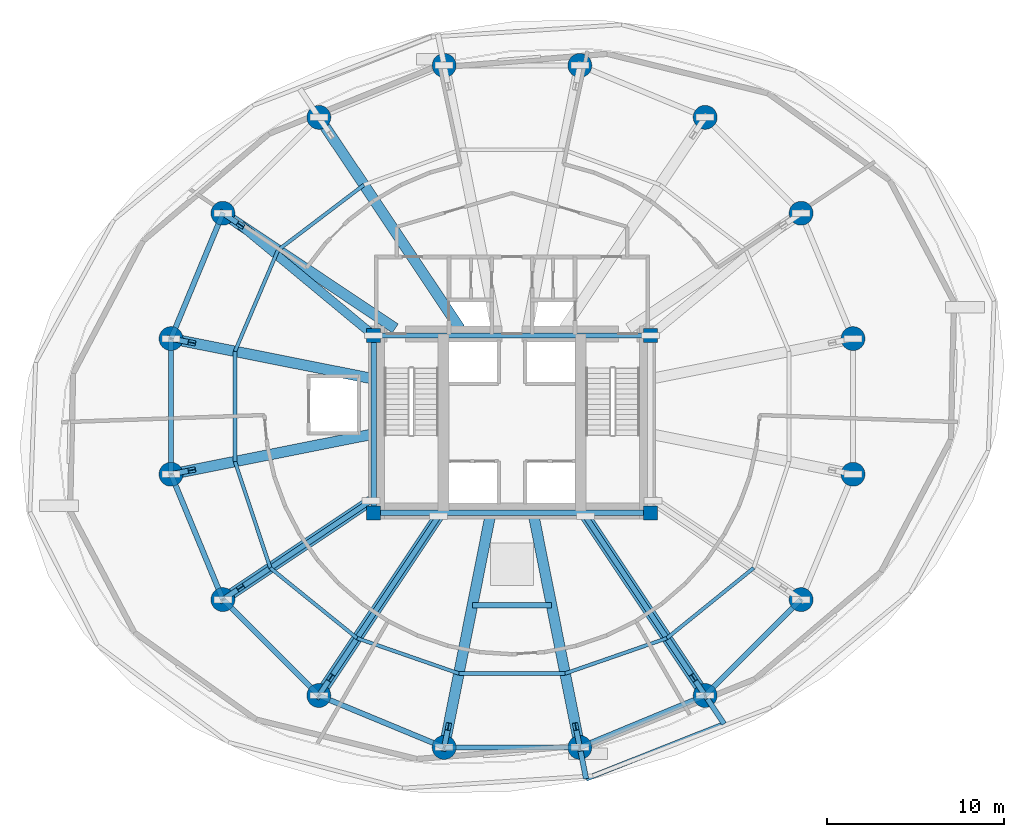
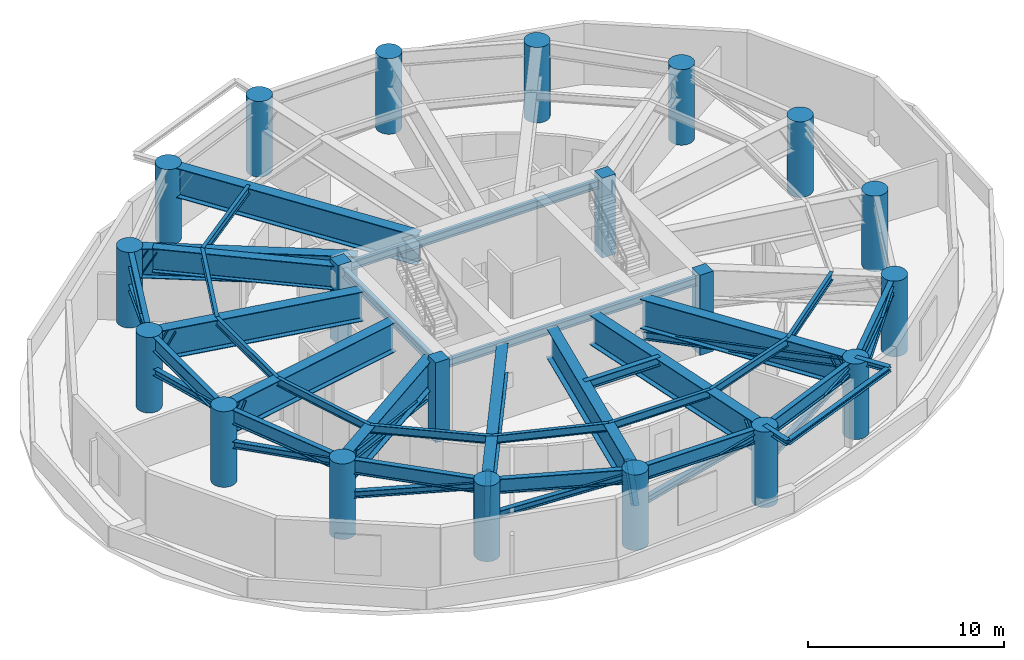
# One storey, part 1 of 8: 34 beams, 20 columns, 19 members.
"""IFC4 building model written with IfcOpenShell, lengths in metres."""

from ifc_helpers import new_model, si_unit, direction, frame, origin, origin_2d, place, context, subcontext, project, spatial, rectangle, circle, i_section, extrude, material, material_profile, profile_set, type_object, element, save


model = new_model("IFC4")

# Units and contexts
model_context = context("Model", 3, precision=1e-05, world=origin(), true_north=direction((0.0, 1.0)))
body_context = subcontext(model_context, "Body", "Model", "MODEL_VIEW")
ifc_project = project(units=[si_unit("LENGTHUNIT", "METRE"), si_unit("AREAUNIT", "SQUARE_METRE"), si_unit("VOLUMEUNIT", "CUBIC_METRE"), si_unit("PLANEANGLEUNIT", "RADIAN"), si_unit("MASSUNIT", "GRAM", prefix="KILO"), si_unit("THERMODYNAMICTEMPERATUREUNIT", "KELVIN"), si_unit("POWERUNIT", "WATT")], contexts=[model_context])

# Site, building, storey
site_placement = place(None, origin())
site = spatial("IfcSite", under=ifc_project, at=site_placement, CompositionType="ELEMENT")
building_placement = place(site_placement, origin())
building = spatial("IfcBuilding", under=site, at=building_placement, Name="Ocrelia Relay Tower", CompositionType="ELEMENT")
storey_placement = place(building_placement, frame((0.0, 0.0, 88.800048828125)))
storey = spatial("IfcBuildingStorey", under=building, at=storey_placement, Name="L20", CompositionType="ELEMENT", Elevation=88.800048828125)

# Columns
ifc_material_1 = material(Name="Concrete C70/85", Category="concrete")
ifc_material_profile_1 = material_profile(ifc_material_1, circle(Radius=0.675048828125, at=origin_2d()), Name="RC-CIR-1350")
ifc_profile_set_1 = profile_set([ifc_material_profile_1], Name="Concrete C70/85")
column_type_1 = type_object("IfcColumnType", Name="COL-CT-1350", PredefinedType="COLUMN", material=ifc_profile_set_1)
for number, where, z_axis, x_axis, name in (
    (1, (53.223388671875, 29.82373046875, 0.0), (0.0, 0.0, 1.0), (1.0, 0.0, 0.0), "L20 Perimeter Ring Column C01"),
    (2, (50.296875, 36.88916015625, 0.0), (0.0, 0.0, 1.0), (1.0, 0.0, 0.0), "L20 Perimeter Ring Column C02"),
    (3, (44.88916015625, 42.296875, 0.0), (0.0, 0.0, 1.0), (1.0, 0.0, 0.0), "L20 Perimeter Ring Column C03"),
    (4, (37.82373046875, 45.223388671875, 0.0), (0.0, 0.0, 1.0), (1.0, 0.0, 0.0), "L20 Perimeter Ring Column C04"),
    (5, (30.17626953125, 45.223388671875, 0.0), (0.0, 0.0, 1.0), (1.0, 0.0, 0.0), "L20 Perimeter Ring Column C05"),
    (6, (23.11083984375, 42.296875, 0.0), (0.0, 0.0, 1.0), (1.0, 0.0, 0.0), "L20 Perimeter Ring Column C06"),
    (7, (17.703125, 36.88916015625, 0.0), (0.0, 0.0, 1.0), (1.0, 0.0, 0.0), "L20 Perimeter Ring Column C07"),
    (8, (14.776611328125, 29.82373046875, 0.0), (0.0, 0.0, 1.0), (1.0, 0.0, 0.0), "L20 Perimeter Ring Column C08"),
    (9, (14.776611328125, 22.17626953125, 0.0), (0.0, 0.0, 1.0), (1.0, 0.0, 0.0), "L20 Perimeter Ring Column C09"),
    (10, (17.703125, 15.11083984375, 0.0), (0.0, 0.0, 1.0), (1.0, 0.0, 0.0), "L20 Perimeter Ring Column C10"),
    (11, (23.11083984375, 9.703125, 0.0), (0.0, 0.0, 1.0), (1.0, 0.0, 0.0), "L20 Perimeter Ring Column C11"),
    (12, (30.17626953125, 6.776611328125, 0.0), (0.0, 0.0, 1.0), (1.0, 0.0, 0.0), "L20 Perimeter Ring Column C12"),
    (13, (37.82373046875, 6.776611328125, 0.0), (0.0, 0.0, 1.0), (1.0, 0.0, 0.0), "L20 Perimeter Ring Column C13"),
    (14, (44.88916015625, 9.703125, 0.0), (0.0, 0.0, 1.0), (1.0, 0.0, 0.0), "L20 Perimeter Ring Column C14"),
    (15, (50.296875, 15.11083984375, 0.0), (0.0, 0.0, 1.0), (1.0, 0.0, 0.0), "L20 Perimeter Ring Column C15"),
    (16, (53.223388671875, 22.17626953125, 0.0), (0.0, 0.0, 1.0), (1.0, 0.0, 0.0), "L20 Perimeter Ring Column C16"),
):
    element("IfcColumn", number, at=place(storey_placement, frame(where, z_axis=z_axis, x_axis=x_axis)), inside=storey, type_object=column_type_1, Name=name, PredefinedType="COLUMN", context=body_context, shape_type="SweptSolid", body=[
        extrude(circle(Radius=0.675048828125, at=origin_2d()), origin(), (0.0, 0.0, 1.0), 4.719970703125),
    ])
ifc_material_2 = material(Name="Concrete C60/75", Category="concrete")
ifc_material_profile_2 = material_profile(ifc_material_2, rectangle(XDim=0.800048828125, YDim=0.800048828125, at=origin_2d()), Name="RC-COL-800x800")
ifc_profile_set_2 = profile_set([ifc_material_profile_2], Name="Concrete C60/75")
column_type_2 = type_object("IfcColumnType", Name="COL-PILASTER-800", PredefinedType="PILASTER", material=ifc_profile_set_2)
for number, where, z_axis, x_axis, name in (
    (17, (26.199951171875, 20.0, 0.0), (0.0, 0.0, 1.0), (1.0, 0.0, 0.0), "L20 Core Corner Pilaster SW"),
    (18, (41.800048828125, 20.0, 0.0), (0.0, 0.0, 1.0), (1.0, 0.0, 0.0), "L20 Core Corner Pilaster SE"),
    (19, (26.199951171875, 30.0, 0.0), (0.0, 0.0, 1.0), (1.0, 0.0, 0.0), "L20 Core Corner Pilaster NW"),
    (20, (41.800048828125, 30.0, 0.0), (0.0, 0.0, 1.0), (1.0, 0.0, 0.0), "L20 Core Corner Pilaster NE"),
):
    element("IfcColumn", number, at=place(storey_placement, frame(where, z_axis=z_axis, x_axis=x_axis)), inside=storey, type_object=column_type_2, Name=name, PredefinedType="PILASTER", context=body_context, shape_type="SweptSolid", body=[
        extrude(rectangle(XDim=0.800048828125, YDim=0.800048828125, at=origin_2d()), origin(), (0.0, 0.0, 1.0), 5.0),
    ])

# Beams
ifc_material_3 = material(Name="Steel S355", Category="steel")
ifc_material_profile_3 = material_profile(ifc_material_3, i_section(OverallWidth=0.280029296875, OverallDepth=0.27001953125, WebThickness=0.008056640625, FlangeThickness=0.012939453125, FilletRadius=0.02392578125, at=origin_2d()), Name="HEA 280")
ifc_profile_set_3 = profile_set([ifc_material_profile_3], Name="Steel S355")
beam_type_1 = type_object("IfcBeamType", Name="BM-HEA280", PredefinedType="BEAM", material=ifc_profile_set_3)
beam_1_placement = place(storey_placement, frame((38.175048828125, 5.01123046875, 4.5849609375), z_axis=(0.929424546745, 0.369012211054, 0.0), x_axis=(-0.369012211054, 0.929424546745, 0.0)))
element("IfcBeam", 21, at=beam_1_placement, inside=storey, type_object=beam_type_1, Name="L21 Balcony Edge Trimmer Beam B2", PredefinedType="BEAM", context=body_context, shape_type="SweptSolid", body=[
    extrude(i_section(OverallWidth=0.280029296875, OverallDepth=0.27001953125, WebThickness=0.008056640625, FlangeThickness=0.012939453125, FilletRadius=0.02392578125, at=origin_2d()), origin(), (0.0, 0.0, 1.0), 8.375244140625),
])
ifc_material_profile_4 = material_profile(ifc_material_3, i_section(OverallWidth=0.300048828125, OverallDepth=0.330078125, WebThickness=0.009521484375, FlangeThickness=0.0166015625, FilletRadius=0.027099609375, at=origin_2d()), Name="HEA 340")
ifc_profile_set_4 = profile_set([ifc_material_profile_4], Name="Steel S355")
beam_type_2 = type_object("IfcBeamType", Name="BM-HEA340", PredefinedType="BEAM", material=ifc_profile_set_4)
beam_2_placement = place(storey_placement, frame((37.82373046875, 6.776611328125, 4.554931640625), z_axis=(0.19517704197, -0.980768026746, 0.0), x_axis=(0.980768026746, 0.19517704197, 0.0)))
element("IfcBeam", 22, at=beam_2_placement, inside=storey, type_object=beam_type_2, Name="L21 Balcony Cantilever Beam B2-1", PredefinedType="BEAM", context=body_context, shape_type="SweptSolid", body=[
    extrude(i_section(OverallWidth=0.300048828125, OverallDepth=0.330078125, WebThickness=0.009521484375, FlangeThickness=0.0166015625, FilletRadius=0.027099609375, at=origin_2d()), origin(), (0.0, 0.0, 1.0), 1.800048828125),
])
beam_3_placement = place(storey_placement, frame((44.88916015625, 9.703125, 4.554931640625), z_axis=(0.555606717092, -0.831445233267, 0.0), x_axis=(0.831445233267, 0.555606717092, 0.0)))
element("IfcBeam", 23, at=beam_3_placement, inside=storey, type_object=beam_type_2, Name="L21 Balcony Cantilever Beam B2-2", PredefinedType="BEAM", context=body_context, shape_type="SweptSolid", body=[
    extrude(i_section(OverallWidth=0.300048828125, OverallDepth=0.330078125, WebThickness=0.009521484375, FlangeThickness=0.0166015625, FilletRadius=0.027099609375, at=origin_2d()), origin(), (0.0, 0.0, 1.0), 1.926025390625),
])
ifc_material_profile_5 = material_profile(ifc_material_3, i_section(OverallWidth=0.300048828125, OverallDepth=0.5, WebThickness=0.014404296875, FlangeThickness=0.028076171875, FilletRadius=0.027099609375, at=origin_2d()), Name="HEB 500")
ifc_profile_set_5 = profile_set([ifc_material_profile_5], Name="Steel S355")
beam_type_3 = type_object("IfcBeamType", Name="BM-HEB500", PredefinedType="BEAM", material=ifc_profile_set_5)
for number, where, z_axis, x_axis, name in (
    (24, (26.199951171875, 20.0, 4.469970703125), (1.0, 0.0, 0.0), (0.0, 1.0, 0.0), "L20 Core Pilaster Tie Beam S"),
    (25, (26.199951171875, 30.0, 4.469970703125), (1.0, 0.0, 0.0), (0.0, 1.0, 0.0), "L20 Core Pilaster Tie Beam N"),
):
    element("IfcBeam", number, at=place(storey_placement, frame(where, z_axis=z_axis, x_axis=x_axis)), inside=storey, type_object=beam_type_3, Name=name, PredefinedType="BEAM", context=body_context, shape_type="SweptSolid", body=[
        extrude(i_section(OverallWidth=0.300048828125, OverallDepth=0.5, WebThickness=0.014404296875, FlangeThickness=0.028076171875, FilletRadius=0.027099609375, at=origin_2d()), origin(), (0.0, 0.0, 1.0), 15.60009765625),
    ])
beam_4_placement = place(storey_placement, frame((26.199951171875, 20.0, 4.469970703125), z_axis=(0.0, 1.0, 0.0), x_axis=(-1.0, 0.0, 0.0)))
element("IfcBeam", 26, at=beam_4_placement, inside=storey, type_object=beam_type_3, Name="L20 Core Pilaster Tie Beam W", PredefinedType="BEAM", context=body_context, shape_type="SweptSolid", body=[
    extrude(i_section(OverallWidth=0.300048828125, OverallDepth=0.5, WebThickness=0.014404296875, FlangeThickness=0.028076171875, FilletRadius=0.027099609375, at=origin_2d()), origin(), (0.0, 0.0, 1.0), 10.0),
])
ifc_material_profile_6 = material_profile(ifc_material_3, i_section(OverallWidth=0.300048828125, OverallDepth=0.550048828125, WebThickness=0.014892578125, FlangeThickness=0.029052734375, FilletRadius=0.027099609375, at=origin_2d()), Name="HEB 550")
ifc_profile_set_6 = profile_set([ifc_material_profile_6], Name="Steel S355")
beam_type_4 = type_object("IfcBeamType", Name="BM-HEB550", PredefinedType="BEAM", material=ifc_profile_set_6)
beam_5_placement = place(storey_placement, frame((31.772216796875, 14.800048828125, 4.445068359375), z_axis=(1.0, 0.0, 0.0), x_axis=(0.0, 1.0, 0.0)))
element("IfcBeam", 27, at=beam_5_placement, inside=storey, type_object=beam_type_4, Name="L20 Atrium South Trimmer Beam", PredefinedType="BEAM", context=body_context, shape_type="SweptSolid", body=[
    extrude(i_section(OverallWidth=0.300048828125, OverallDepth=0.550048828125, WebThickness=0.014892578125, FlangeThickness=0.029052734375, FilletRadius=0.027099609375, at=origin_2d()), origin(), (0.0, 0.0, 1.0), 4.45556640625),
])
ifc_material_profile_7 = material_profile(ifc_material_3, i_section(OverallWidth=0.300048828125, OverallDepth=0.89990234375, WebThickness=0.0185546875, FlangeThickness=0.034912109375, FilletRadius=0.030029296875, at=origin_2d()), Name="HEB 900")
ifc_profile_set_7 = profile_set([ifc_material_profile_7], Name="Steel S355")
beam_type_5 = type_object("IfcBeamType", Name="BM-HEB900", PredefinedType="BEAM", material=ifc_profile_set_7)
for number, where, z_axis, x_axis, name in (
    (28, (17.703125, 36.88916015625, 4.27001953125), (-0.382674154222, -0.923883375589, 0.0), (0.923883375589, -0.382674154222, 0.0), "L20 Perimeter Spandrel Beam S07"),
    (29, (14.776611328125, 29.82373046875, 4.27001953125), (0.0, -1.0, 0.0), (1.0, 0.0, 0.0), "L20 Perimeter Spandrel Beam S08"),
    (30, (14.776611328125, 22.17626953125, 4.27001953125), (0.382674154222, -0.923883375589, 0.0), (0.923883375589, 0.382674154222, 0.0), "L20 Perimeter Spandrel Beam S09"),
):
    element("IfcBeam", number, at=place(storey_placement, frame(where, z_axis=z_axis, x_axis=x_axis)), inside=storey, type_object=beam_type_5, Name=name, PredefinedType="BEAM", context=body_context, shape_type="SweptSolid", body=[
        extrude(i_section(OverallWidth=0.300048828125, OverallDepth=0.89990234375, WebThickness=0.0185546875, FlangeThickness=0.034912109375, FilletRadius=0.030029296875, at=origin_2d()), origin(), (0.0, 0.0, 1.0), 7.6474609375),
    ])
beam_6_placement = place(storey_placement, frame((17.703125, 15.11083984375, 4.27001953125), z_axis=(0.707106781187, -0.707106781187, 0.0), x_axis=(0.707106781187, 0.707106781187, 0.0)))
element("IfcBeam", 31, at=beam_6_placement, inside=storey, type_object=beam_type_5, Name="L20 Perimeter Spandrel Beam S10", PredefinedType="BEAM", context=body_context, shape_type="SweptSolid", body=[
    extrude(i_section(OverallWidth=0.300048828125, OverallDepth=0.89990234375, WebThickness=0.0185546875, FlangeThickness=0.034912109375, FilletRadius=0.030029296875, at=origin_2d()), origin(), (0.0, 0.0, 1.0), 7.647705078125),
])
for number, where, z_axis, x_axis, name in (
    (32, (23.11083984375, 9.703125, 4.27001953125), (0.923883375589, -0.382674154222, 0.0), (0.382674154222, 0.923883375589, 0.0), "L20 Perimeter Spandrel Beam S11"),
    (33, (30.17626953125, 6.776611328125, 4.27001953125), (1.0, 0.0, 0.0), (0.0, 1.0, 0.0), "L20 Perimeter Spandrel Beam S12"),
    (34, (37.82373046875, 6.776611328125, 4.27001953125), (0.923883375589, 0.382674154222, 0.0), (-0.382674154222, 0.923883375589, 0.0), "L20 Perimeter Spandrel Beam S13"),
):
    element("IfcBeam", number, at=place(storey_placement, frame(where, z_axis=z_axis, x_axis=x_axis)), inside=storey, type_object=beam_type_5, Name=name, PredefinedType="BEAM", context=body_context, shape_type="SweptSolid", body=[
        extrude(i_section(OverallWidth=0.300048828125, OverallDepth=0.89990234375, WebThickness=0.0185546875, FlangeThickness=0.034912109375, FilletRadius=0.030029296875, at=origin_2d()), origin(), (0.0, 0.0, 1.0), 7.6474609375),
    ])
beam_7_placement = place(storey_placement, frame((44.88916015625, 9.703125, 4.27001953125), z_axis=(0.707106781187, 0.707106781187, 0.0), x_axis=(-0.707106781187, 0.707106781187, 0.0)))
element("IfcBeam", 35, at=beam_7_placement, inside=storey, type_object=beam_type_5, Name="L20 Perimeter Spandrel Beam S14", PredefinedType="BEAM", context=body_context, shape_type="SweptSolid", body=[
    extrude(i_section(OverallWidth=0.300048828125, OverallDepth=0.89990234375, WebThickness=0.0185546875, FlangeThickness=0.034912109375, FilletRadius=0.030029296875, at=origin_2d()), origin(), (0.0, 0.0, 1.0), 7.647705078125),
])
ifc_material_profile_8 = material_profile(ifc_material_3, i_section(OverallWidth=0.199951171875, OverallDepth=0.5, WebThickness=0.01025390625, FlangeThickness=0.01611328125, FilletRadius=0.02099609375, at=origin_2d()), Name="IPE 500")
ifc_profile_set_8 = profile_set([ifc_material_profile_8], Name="Steel S355")
beam_type_6 = type_object("IfcBeamType", Name="BM-IPE500", PredefinedType="JOIST", material=ifc_profile_set_8)
beam_8_placement = place(storey_placement, frame((25.654541015625, 38.48974609375, 4.469970703125), z_axis=(-0.796483912043, -0.604659720716, 0.0), x_axis=(0.604659720716, -0.796483912043, 0.0)))
element("IfcBeam", 36, at=beam_8_placement, inside=storey, type_object=beam_type_6, Name="L20 Secondary Floor Joist J06", PredefinedType="JOIST", context=body_context, shape_type="SweptSolid", body=[
    extrude(i_section(OverallWidth=0.199951171875, OverallDepth=0.5, WebThickness=0.01025390625, FlangeThickness=0.01611328125, FilletRadius=0.02099609375, at=origin_2d()), origin(), (0.0, 0.0, 1.0), 6.0810546875),
])
beam_9_placement = place(storey_placement, frame((20.81103515625, 34.812744140625, 4.469970703125), z_axis=(-0.391375721261, -0.920230973619, 0.0), x_axis=(0.920230973619, -0.391375721261, 0.0)))
element("IfcBeam", 37, at=beam_9_placement, inside=storey, type_object=beam_type_6, Name="L20 Secondary Floor Joist J07", PredefinedType="JOIST", context=body_context, shape_type="SweptSolid", body=[
    extrude(i_section(OverallWidth=0.199951171875, OverallDepth=0.5, WebThickness=0.01025390625, FlangeThickness=0.01611328125, FilletRadius=0.02099609375, at=origin_2d()), origin(), (0.0, 0.0, 1.0), 6.201171875),
])
beam_10_placement = place(storey_placement, frame((18.384033203125, 29.106201171875, 4.469970703125), z_axis=(0.0, -1.0, 0.0), x_axis=(1.0, 0.0, 0.0)))
element("IfcBeam", 38, at=beam_10_placement, inside=storey, type_object=beam_type_6, Name="L20 Secondary Floor Joist J08", PredefinedType="JOIST", context=body_context, shape_type="SweptSolid", body=[
    extrude(i_section(OverallWidth=0.199951171875, OverallDepth=0.5, WebThickness=0.01025390625, FlangeThickness=0.01611328125, FilletRadius=0.02099609375, at=origin_2d()), origin(), (0.0, 0.0, 1.0), 6.21240234375),
])
beam_11_placement = place(storey_placement, frame((18.384033203125, 22.893798828125, 4.469970703125), z_axis=(0.314917882261, -0.949118921649, 0.0), x_axis=(0.949118921649, 0.314917882261, 0.0)))
element("IfcBeam", 39, at=beam_11_placement, inside=storey, type_object=beam_type_6, Name="L20 Secondary Floor Joist J09", PredefinedType="JOIST", context=body_context, shape_type="SweptSolid", body=[
    extrude(i_section(OverallWidth=0.199951171875, OverallDepth=0.5, WebThickness=0.01025390625, FlangeThickness=0.01611328125, FilletRadius=0.02099609375, at=origin_2d()), origin(), (0.0, 0.0, 1.0), 6.31982421875),
])
beam_12_placement = place(storey_placement, frame((20.374267578125, 16.8955078125, 4.469970703125), z_axis=(0.777369443098, -0.629044313969, 0.0), x_axis=(0.629044313969, 0.777369443098, 0.0)))
element("IfcBeam", 40, at=beam_12_placement, inside=storey, type_object=beam_type_6, Name="L20 Secondary Floor Joist J10", PredefinedType="JOIST", context=body_context, shape_type="SweptSolid", body=[
    extrude(i_section(OverallWidth=0.199951171875, OverallDepth=0.5, WebThickness=0.01025390625, FlangeThickness=0.01611328125, FilletRadius=0.02099609375, at=origin_2d()), origin(), (0.0, 0.0, 1.0), 6.297607421875),
])
beam_13_placement = place(storey_placement, frame((25.269775390625, 12.93408203125, 4.469970703125), z_axis=(0.944747716271, -0.327798341364, 0.0), x_axis=(0.327798341364, 0.944747716271, 0.0)))
element("IfcBeam", 41, at=beam_13_placement, inside=storey, type_object=beam_type_6, Name="L20 Secondary Floor Joist J11", PredefinedType="JOIST", context=body_context, shape_type="SweptSolid", body=[
    extrude(i_section(OverallWidth=0.199951171875, OverallDepth=0.5, WebThickness=0.01025390625, FlangeThickness=0.01611328125, FilletRadius=0.02099609375, at=origin_2d()), origin(), (0.0, 0.0, 1.0), 6.07080078125),
])
beam_14_placement = place(storey_placement, frame((31.005126953125, 10.944091796875, 4.469970703125), z_axis=(1.0, 0.0, 0.0), x_axis=(0.0, 1.0, 0.0)))
element("IfcBeam", 42, at=beam_14_placement, inside=storey, type_object=beam_type_6, Name="L20 Secondary Floor Joist J12", PredefinedType="JOIST", context=body_context, shape_type="SweptSolid", body=[
    extrude(i_section(OverallWidth=0.199951171875, OverallDepth=0.5, WebThickness=0.01025390625, FlangeThickness=0.01611328125, FilletRadius=0.02099609375, at=origin_2d()), origin(), (0.0, 0.0, 1.0), 5.98974609375),
])
beam_15_placement = place(storey_placement, frame((36.994873046875, 10.944091796875, 4.469970703125), z_axis=(0.944747716271, 0.327798341364, 0.0), x_axis=(-0.327798341364, 0.944747716271, 0.0)))
element("IfcBeam", 43, at=beam_15_placement, inside=storey, type_object=beam_type_6, Name="L20 Secondary Floor Joist J13", PredefinedType="JOIST", context=body_context, shape_type="SweptSolid", body=[
    extrude(i_section(OverallWidth=0.199951171875, OverallDepth=0.5, WebThickness=0.01025390625, FlangeThickness=0.01611328125, FilletRadius=0.02099609375, at=origin_2d()), origin(), (0.0, 0.0, 1.0), 6.07080078125),
])
beam_16_placement = place(storey_placement, frame((42.730224609375, 12.93408203125, 4.469970703125), z_axis=(0.777369443098, 0.629044313969, 0.0), x_axis=(-0.629044313969, 0.777369443098, 0.0)))
element("IfcBeam", 44, at=beam_16_placement, inside=storey, type_object=beam_type_6, Name="L20 Secondary Floor Joist J14", PredefinedType="JOIST", context=body_context, shape_type="SweptSolid", body=[
    extrude(i_section(OverallWidth=0.199951171875, OverallDepth=0.5, WebThickness=0.01025390625, FlangeThickness=0.01611328125, FilletRadius=0.02099609375, at=origin_2d()), origin(), (0.0, 0.0, 1.0), 6.297607421875),
])
ifc_material_profile_9 = material_profile(ifc_material_3, i_section(OverallWidth=0.5, OverallDepth=1.5, WebThickness=0.02587890625, FlangeThickness=0.0380859375, FilletRadius=0.02001953125, at=origin_2d()), Name="WPG 1500x500")
ifc_profile_set_9 = profile_set([ifc_material_profile_9], Name="Steel S355")
beam_type_7 = type_object("IfcBeamType", Name="BM-WPG1500", PredefinedType="T_BEAM", material=ifc_profile_set_9)
beam_17_placement = place(storey_placement, frame((18.700927734375, 36.222412109375, 3.969970703125), z_axis=(0.769570862751, -0.638561420072, 0.0), x_axis=(0.638561420072, 0.769570862751, 0.0)))
element("IfcBeam", 45, at=beam_17_placement, inside=storey, type_object=beam_type_7, Name="L20 Zone Setback Core Link Girder XL07", PredefinedType="T_BEAM", context=body_context, shape_type="SweptSolid", body=[
    extrude(i_section(OverallWidth=0.5, OverallDepth=1.5, WebThickness=0.02587890625, FlangeThickness=0.0380859375, FilletRadius=0.02001953125, at=origin_2d()), origin(), (0.0, 0.0, 1.0), 9.744384765625),
])
ifc_material_profile_10 = material_profile(ifc_material_3, i_section(OverallWidth=0.60009765625, OverallDepth=1.85009765625, WebThickness=0.028076171875, FlangeThickness=0.0400390625, FilletRadius=0.02001953125, at=origin_2d()), Name="WPG 1850x600")
ifc_profile_set_10 = profile_set([ifc_material_profile_10], Name="Steel S355")
beam_type_8 = type_object("IfcBeamType", Name="BM-WPG1650", PredefinedType="T_BEAM", material=ifc_profile_set_10)
beam_18_placement = place(storey_placement, frame((23.11083984375, 42.296875, 3.794921875), z_axis=(0.555566163001, -0.831472331788, 0.0), x_axis=(0.831472331788, 0.555566163001, 0.0)))
element("IfcBeam", 46, at=beam_18_placement, inside=storey, type_object=beam_type_8, Name="L20 Radial Transfer Girder R06", PredefinedType="T_BEAM", context=body_context, shape_type="SweptSolid", body=[
    extrude(i_section(OverallWidth=0.60009765625, OverallDepth=1.85009765625, WebThickness=0.028076171875, FlangeThickness=0.0400390625, FilletRadius=0.02001953125, at=origin_2d()), origin(), (0.0, 0.0, 1.0), 14.308349609375),
])
beam_19_placement = place(storey_placement, frame((17.703125, 36.88916015625, 3.794921875), z_axis=(0.83147102407, -0.555568120155, 0.0), x_axis=(0.555568120155, 0.83147102407, 0.0)))
element("IfcBeam", 47, at=beam_19_placement, inside=storey, type_object=beam_type_8, Name="L20 Radial Transfer Girder R07", PredefinedType="T_BEAM", context=body_context, shape_type="SweptSolid", body=[
    extrude(i_section(OverallWidth=0.60009765625, OverallDepth=1.85009765625, WebThickness=0.028076171875, FlangeThickness=0.0400390625, FilletRadius=0.02001953125, at=origin_2d()), origin(), (0.0, 0.0, 1.0), 11.680419921875),
])
for number, where, z_axis, x_axis, name in (
    (48, (14.776611328125, 29.82373046875, 3.794921875), (0.980785188863, -0.195090782218, 0.0), (0.195090782218, 0.980785188863, 0.0), "L20 Radial Transfer Girder R08"),
    (49, (14.776611328125, 22.17626953125, 3.794921875), (0.980785188863, 0.195090782218, 0.0), (-0.195090782218, 0.980785188863, 0.0), "L20 Radial Transfer Girder R09"),
):
    element("IfcBeam", number, at=place(storey_placement, frame(where, z_axis=z_axis, x_axis=x_axis)), inside=storey, type_object=beam_type_8, Name=name, PredefinedType="T_BEAM", context=body_context, shape_type="SweptSolid", body=[
        extrude(i_section(OverallWidth=0.60009765625, OverallDepth=1.85009765625, WebThickness=0.028076171875, FlangeThickness=0.0400390625, FilletRadius=0.02001953125, at=origin_2d()), origin(), (0.0, 0.0, 1.0), 11.494384765625),
    ])
beam_20_placement = place(storey_placement, frame((17.703125, 15.11083984375, 3.794921875), z_axis=(0.831473650483, 0.555564189407, 0.0), x_axis=(-0.555564189407, 0.831473650483, 0.0)))
element("IfcBeam", 50, at=beam_20_placement, inside=storey, type_object=beam_type_8, Name="L20 Radial Transfer Girder R10", PredefinedType="T_BEAM", context=body_context, shape_type="SweptSolid", body=[
    extrude(i_section(OverallWidth=0.60009765625, OverallDepth=1.85009765625, WebThickness=0.028076171875, FlangeThickness=0.0400390625, FilletRadius=0.02001953125, at=origin_2d()), origin(), (0.0, 0.0, 1.0), 10.038818359375),
])
beam_21_placement = place(storey_placement, frame((23.11083984375, 9.703125, 3.794921875), z_axis=(0.555572124303, 0.831468348585, 0.0), x_axis=(-0.831468348585, 0.555572124303, 0.0)))
element("IfcBeam", 51, at=beam_21_placement, inside=storey, type_object=beam_type_8, Name="L20 Radial Transfer Girder R11", PredefinedType="T_BEAM", context=body_context, shape_type="SweptSolid", body=[
    extrude(i_section(OverallWidth=0.60009765625, OverallDepth=1.85009765625, WebThickness=0.028076171875, FlangeThickness=0.0400390625, FilletRadius=0.02001953125, at=origin_2d()), origin(), (0.0, 0.0, 1.0), 12.1435546875),
])
for number, where, z_axis, x_axis, name in (
    (52, (30.17626953125, 6.776611328125, 3.794921875), (0.195076503225, 0.980788029031, 0.0), (-0.980788029031, 0.195076503225, 0.0), "L20 Radial Transfer Girder R12"),
    (53, (37.82373046875, 6.776611328125, 3.794921875), (-0.195076503225, 0.980788029031, 0.0), (-0.980788029031, -0.195076503225, 0.0), "L20 Radial Transfer Girder R13"),
):
    element("IfcBeam", number, at=place(storey_placement, frame(where, z_axis=z_axis, x_axis=x_axis)), inside=storey, type_object=beam_type_8, Name=name, PredefinedType="T_BEAM", context=body_context, shape_type="SweptSolid", body=[
        extrude(i_section(OverallWidth=0.60009765625, OverallDepth=1.85009765625, WebThickness=0.028076171875, FlangeThickness=0.0400390625, FilletRadius=0.02001953125, at=origin_2d()), origin(), (0.0, 0.0, 1.0), 13.278564453125),
    ])
beam_22_placement = place(storey_placement, frame((44.88916015625, 9.703125, 3.794921875), z_axis=(-0.555572124303, 0.831468348585, 0.0), x_axis=(-0.831468348585, -0.555572124303, 0.0)))
element("IfcBeam", 54, at=beam_22_placement, inside=storey, type_object=beam_type_8, Name="L20 Radial Transfer Girder R14", PredefinedType="T_BEAM", context=body_context, shape_type="SweptSolid", body=[
    extrude(i_section(OverallWidth=0.60009765625, OverallDepth=1.85009765625, WebThickness=0.028076171875, FlangeThickness=0.0400390625, FilletRadius=0.02001953125, at=origin_2d()), origin(), (0.0, 0.0, 1.0), 12.1435546875),
])

# Members
ifc_material_profile_11 = material_profile(ifc_material_3, i_section(OverallWidth=0.300048828125, OverallDepth=0.39990234375, WebThickness=0.013427734375, FlangeThickness=0.02392578125, FilletRadius=0.027099609375, at=origin_2d()), Name="HEB 400")
ifc_profile_set_11 = profile_set([ifc_material_profile_11], Name="Steel S355")
member_type_1 = type_object("IfcMemberType", Name="MB-BELT-DIAG", PredefinedType="BRACE", material=ifc_profile_set_11)
member_1_placement = place(storey_placement, frame((17.703125, 36.88916015625, 2.349853515625), z_axis=(-0.369984847346, -0.893247808642, 0.255381215228), x_axis=(0.923883375589, -0.382674154222, 0.0)))
element("IfcMember", 55, at=member_1_placement, inside=storey, type_object=member_type_1, Name="L20 Perimeter Belt Truss Diagonal B07", PredefinedType="BRACE", context=body_context, shape_type="SweptSolid", body=[
    extrude(i_section(OverallWidth=0.300048828125, OverallDepth=0.39990234375, WebThickness=0.013427734375, FlangeThickness=0.02392578125, FilletRadius=0.027099609375, at=origin_2d()), origin(), (0.0, 0.0, 1.0), 7.909912109375),
])
member_2_placement = place(storey_placement, frame((14.776611328125, 29.82373046875, 2.349853515625), z_axis=(0.0, -0.966839835348, 0.255383501394), x_axis=(1.0, 0.0, 0.0)))
element("IfcMember", 56, at=member_2_placement, inside=storey, type_object=member_type_1, Name="L20 Perimeter Belt Truss Diagonal B08", PredefinedType="BRACE", context=body_context, shape_type="SweptSolid", body=[
    extrude(i_section(OverallWidth=0.300048828125, OverallDepth=0.39990234375, WebThickness=0.013427734375, FlangeThickness=0.02392578125, FilletRadius=0.027099609375, at=origin_2d()), origin(), (0.0, 0.0, 1.0), 7.90966796875),
])
for number, where, z_axis, x_axis, name in (
    (57, (14.776611328125, 22.17626953125, 2.349853515625), (0.369984847346, -0.893247808642, 0.255381215228), (0.923883375589, 0.382674154222, 0.0), "L20 Perimeter Belt Truss Diagonal B09"),
    (58, (17.703125, 15.11083984375, 2.349853515625), (0.68366018591, -0.68366018591, 0.255377172832), (0.707106781187, 0.707106781187, 0.0), "L20 Perimeter Belt Truss Diagonal B10"),
    (59, (23.11083984375, 9.703125, 2.349853515625), (0.893247808642, -0.369984847346, 0.255381215228), (0.382674154222, 0.923883375589, 0.0), "L20 Perimeter Belt Truss Diagonal B11"),
):
    element("IfcMember", number, at=place(storey_placement, frame(where, z_axis=z_axis, x_axis=x_axis)), inside=storey, type_object=member_type_1, Name=name, PredefinedType="BRACE", context=body_context, shape_type="SweptSolid", body=[
        extrude(i_section(OverallWidth=0.300048828125, OverallDepth=0.39990234375, WebThickness=0.013427734375, FlangeThickness=0.02392578125, FilletRadius=0.027099609375, at=origin_2d()), origin(), (0.0, 0.0, 1.0), 7.909912109375),
    ])
member_3_placement = place(storey_placement, frame((30.17626953125, 6.776611328125, 2.349853515625), z_axis=(0.966839835348, 0.0, 0.255383501394), x_axis=(0.0, 1.0, 0.0)))
element("IfcMember", 60, at=member_3_placement, inside=storey, type_object=member_type_1, Name="L20 Perimeter Belt Truss Diagonal B12", PredefinedType="BRACE", context=body_context, shape_type="SweptSolid", body=[
    extrude(i_section(OverallWidth=0.300048828125, OverallDepth=0.39990234375, WebThickness=0.013427734375, FlangeThickness=0.02392578125, FilletRadius=0.027099609375, at=origin_2d()), origin(), (0.0, 0.0, 1.0), 7.90966796875),
])
for number, where, z_axis, x_axis, name in (
    (61, (37.82373046875, 6.776611328125, 2.349853515625), (0.893247808642, 0.369984847346, 0.255381215228), (-0.382674154222, 0.923883375589, 0.0), "L20 Perimeter Belt Truss Diagonal B13"),
    (62, (44.88916015625, 9.703125, 2.349853515625), (0.68366018591, 0.68366018591, 0.255377172832), (-0.707106781187, 0.707106781187, 0.0), "L20 Perimeter Belt Truss Diagonal B14"),
):
    element("IfcMember", number, at=place(storey_placement, frame(where, z_axis=z_axis, x_axis=x_axis)), inside=storey, type_object=member_type_1, Name=name, PredefinedType="BRACE", context=body_context, shape_type="SweptSolid", body=[
        extrude(i_section(OverallWidth=0.300048828125, OverallDepth=0.39990234375, WebThickness=0.013427734375, FlangeThickness=0.02392578125, FilletRadius=0.027099609375, at=origin_2d()), origin(), (0.0, 0.0, 1.0), 7.909912109375),
    ])
ifc_material_profile_12 = material_profile(ifc_material_3, i_section(OverallWidth=0.300048828125, OverallDepth=0.5, WebThickness=0.014404296875, FlangeThickness=0.028076171875, FilletRadius=0.027099609375, at=origin_2d()), Name="HEB 500")
ifc_profile_set_12 = profile_set([ifc_material_profile_12], Name="Steel S355")
member_type_2 = type_object("IfcMemberType", Name="MB-OUTRIGGER-DIAG", PredefinedType="BRACE", material=ifc_profile_set_12)
member_4_placement = place(storey_placement, frame((26.050048828125, 20.68798828125, 2.349853515625), z_axis=(-0.816668308984, -0.545671732149, 0.187870257982), x_axis=(0.555564189407, -0.831473650483, 0.0)))
element("IfcMember", 63, at=member_4_placement, inside=storey, type_object=member_type_2, Name="L20 Core Outrigger Truss Brace O10", PredefinedType="BRACE", context=body_context, shape_type="SweptSolid", body=[
    extrude(i_section(OverallWidth=0.300048828125, OverallDepth=0.5, WebThickness=0.014404296875, FlangeThickness=0.028076171875, FilletRadius=0.027099609375, at=origin_2d()), origin(), (0.0, 0.0, 1.0), 10.220703125),
])
for number, where, z_axis, x_axis, name in (
    (64, (29.857421875, 19.800048828125, 2.349853515625), (-0.548754246911, -0.821264724235, 0.156182679017), (0.831468348585, -0.555572124303, 0.0), "L20 Core Outrigger Truss Brace O11"),
    (65, (38.142578125, 19.800048828125, 2.349853515625), (0.548754246911, -0.821264724235, 0.156182679017), (0.831468348585, 0.555572124303, 0.0), "L20 Core Outrigger Truss Brace O14"),
):
    element("IfcMember", number, at=place(storey_placement, frame(where, z_axis=z_axis, x_axis=x_axis)), inside=storey, type_object=member_type_2, Name=name, PredefinedType="BRACE", context=body_context, shape_type="SweptSolid", body=[
        extrude(i_section(OverallWidth=0.300048828125, OverallDepth=0.5, WebThickness=0.014404296875, FlangeThickness=0.028076171875, FilletRadius=0.027099609375, at=origin_2d()), origin(), (0.0, 0.0, 1.0), 12.29443359375),
    ])
ifc_material_profile_13 = material_profile(ifc_material_3, i_section(OverallWidth=0.300048828125, OverallDepth=0.5, WebThickness=0.014404296875, FlangeThickness=0.028076171875, FilletRadius=0.027099609375, at=origin_2d()), Name="HEB 500")
ifc_profile_set_13 = profile_set([ifc_material_profile_13], Name="Steel S355")
member_type_3 = type_object("IfcMemberType", Name="MB-RAKER-STRUT", PredefinedType="STRUT", material=ifc_profile_set_13)
for number, where, z_axis, x_axis, name in (
    (66, (17.703125, 36.88916015625, 2.349853515625), (0.409573762376, -0.273683862258, 0.870256557983), (0.555591879189, 0.831455148387, 0.0), "L20 Zone Setback Raker Strut RS07"),
    (67, (14.776611328125, 29.82373046875, 2.349853515625), (0.483131189319, -0.096105125608, 0.870257466925), (0.195098830296, 0.980783587963, 0.0), "L20 Zone Setback Raker Strut RS08"),
    (68, (14.776611328125, 22.17626953125, 2.349853515625), (0.483131189319, 0.096105125608, 0.870257466925), (-0.195098830296, 0.980783587963, 0.0), "L20 Zone Setback Raker Strut RS09"),
    (69, (17.703125, 15.11083984375, 2.349853515625), (0.409573762376, 0.273683862258, 0.870256557983), (-0.555591879189, 0.831455148387, 0.0), "L20 Zone Setback Raker Strut RS10"),
    (70, (23.11083984375, 9.703125, 2.349853515625), (0.273683862258, 0.409573762376, 0.870256557983), (-0.831455148387, 0.555591879189, 0.0), "L20 Zone Setback Raker Strut RS11"),
    (71, (30.17626953125, 6.776611328125, 2.349853515625), (0.096105125608, 0.483131189319, 0.870257466925), (-0.980783587963, 0.195098830296, 0.0), "L20 Zone Setback Raker Strut RS12"),
    (72, (37.82373046875, 6.776611328125, 2.349853515625), (-0.096105125608, 0.483131189319, 0.870257466925), (-0.980783587963, -0.195098830296, 0.0), "L20 Zone Setback Raker Strut RS13"),
    (73, (44.88916015625, 9.703125, 2.349853515625), (-0.273683862258, 0.409573762376, 0.870256557983), (-0.831455148387, -0.555591879189, 0.0), "L20 Zone Setback Raker Strut RS14"),
):
    element("IfcMember", number, at=place(storey_placement, frame(where, z_axis=z_axis, x_axis=x_axis)), inside=storey, type_object=member_type_3, Name=name, PredefinedType="STRUT", context=body_context, shape_type="SweptSolid", body=[
        extrude(i_section(OverallWidth=0.300048828125, OverallDepth=0.5, WebThickness=0.014404296875, FlangeThickness=0.028076171875, FilletRadius=0.027099609375, at=origin_2d()), origin(), (0.0, 0.0, 1.0), 2.436279296875),
    ])

save(model, "model.ifc")
